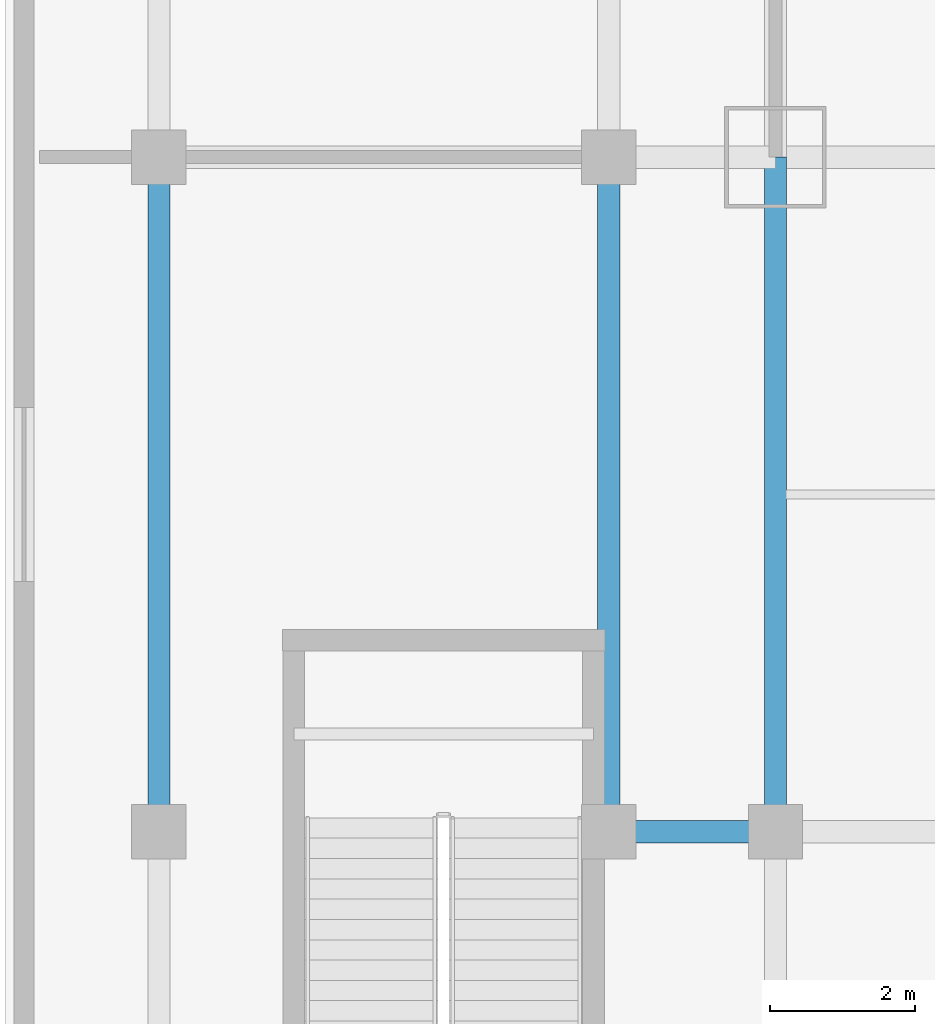
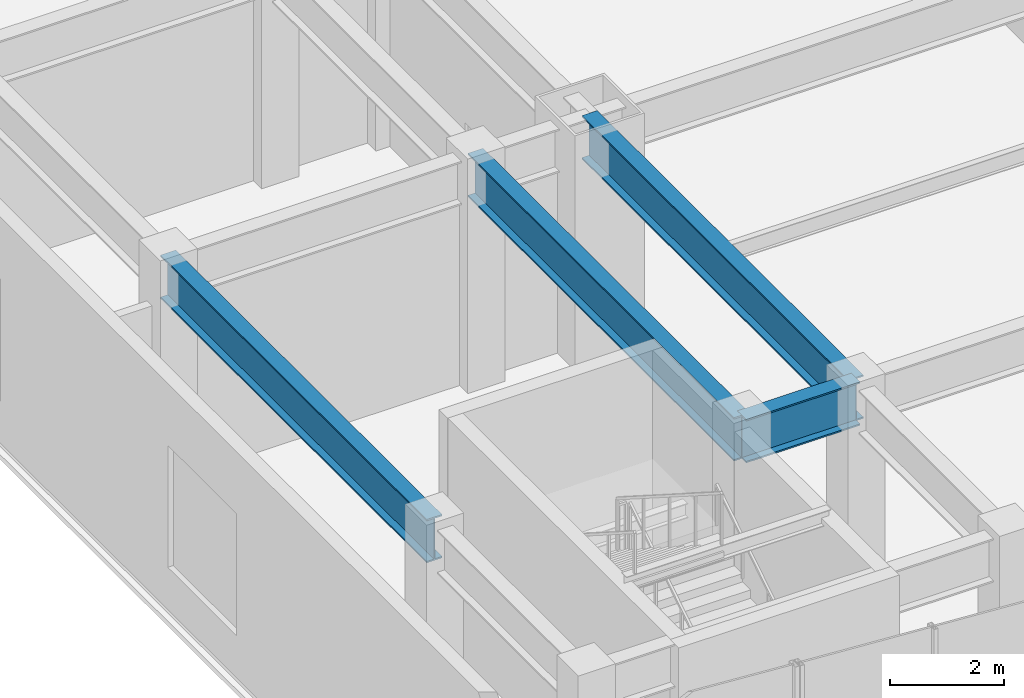
# One storey, part 3 of 24: 4 beams.
"""IFC4 building model written with IfcOpenShell, lengths in metres."""

from ifc_helpers import new_model, si_unit, direction, frame, origin, origin_2d, place, context, subcontext, project, spatial, i_section, extrude, material, material_profile, profile_set, type_object, element, save


model = new_model("IFC4")

# Units and contexts
model_context = context("Model", 3, precision=1e-05, world=origin(), true_north=direction((0.0, 1.0)))
body_context = subcontext(model_context, "Body", "Model", "MODEL_VIEW")
ifc_project = project(units=[si_unit("LENGTHUNIT", "METRE"), si_unit("AREAUNIT", "SQUARE_METRE"), si_unit("VOLUMEUNIT", "CUBIC_METRE"), si_unit("PLANEANGLEUNIT", "RADIAN"), si_unit("MASSUNIT", "GRAM", prefix="KILO")], contexts=[model_context])

# Site, building, storey
site_placement = place(None, origin())
site = spatial("IfcSite", under=ifc_project, at=site_placement, CompositionType="ELEMENT")
building_placement = place(site_placement, origin())
building = spatial("IfcBuilding", under=site, at=building_placement, Name="Vantalir Tower", CompositionType="ELEMENT")
storey_placement = place(building_placement, frame((0.0, 0.0, 11.0)))
storey = spatial("IfcBuildingStorey", under=building, at=storey_placement, Name="L02", CompositionType="ELEMENT", Elevation=11.0)

# Beams
ifc_material = material(Name="Steel S355", Category="steel")
ifc_material_profile = material_profile(ifc_material, i_section(OverallWidth=0.30810546875, OverallDepth=0.927001953125, WebThickness=0.01953125, FlangeThickness=0.031982421875, at=origin_2d()), Name="Steel S355")
ifc_profile_set = profile_set([ifc_material_profile], Name="Steel S355")
beam_type = type_object("IfcBeamType", Name="BM-PG-914x305", PredefinedType="USERDEFINED", material=ifc_profile_set)
beam_placement = place(storey_placement, frame((8.199951171875, 8.5, 4.35595703125), z_axis=(1.0, 0.0, 0.0), x_axis=(0.0, 1.0, 0.0)))
element("IfcBeam", 1, at=beam_placement, inside=storey, type_object=beam_type, Name="Level 02 Podium E-W Girder 07", ObjectType="GIRDER", PredefinedType="USERDEFINED", context=body_context, shape_type="SweptSolid", body=[
    extrude(i_section(OverallWidth=0.30810546875, OverallDepth=0.927001953125, WebThickness=0.01953125, FlangeThickness=0.031982421875, at=origin_2d()), origin(), (0.0, 0.0, 1.0), 2.300048828125),
])
for number, where, z_axis, x_axis, name in (
    (2, (2.0, 8.5, 4.35595703125), (0.0, 1.0, 0.0), (-1.0, 0.0, 0.0), "Level 02 Podium N-S Girder 42"),
    (3, (8.199951171875, 8.5, 4.35595703125), (0.0, 1.0, 0.0), (-1.0, 0.0, 0.0), "Level 02 Podium N-S Girder 47"),
    (4, (10.5, 8.5, 4.35595703125), (0.0, 1.0, 0.0), (-1.0, 0.0, 0.0), "Level 02 Podium N-S Girder 51"),
):
    element("IfcBeam", number, at=place(storey_placement, frame(where, z_axis=z_axis, x_axis=x_axis)), inside=storey, type_object=beam_type, Name=name, ObjectType="GIRDER", PredefinedType="USERDEFINED", context=body_context, shape_type="SweptSolid", body=[
        extrude(i_section(OverallWidth=0.30810546875, OverallDepth=0.927001953125, WebThickness=0.01953125, FlangeThickness=0.031982421875, at=origin_2d()), origin(), (0.0, 0.0, 1.0), 9.300048828125),
    ])

save(model, "model.ifc")
